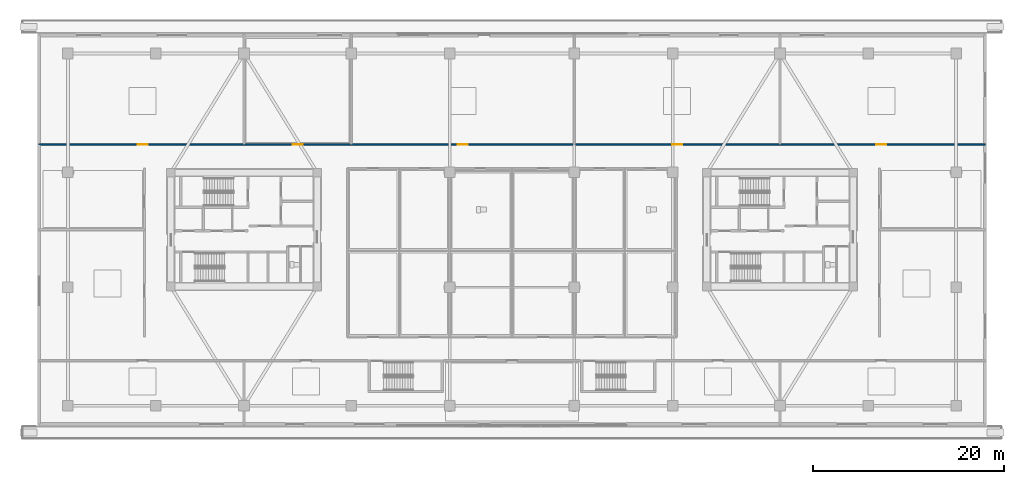
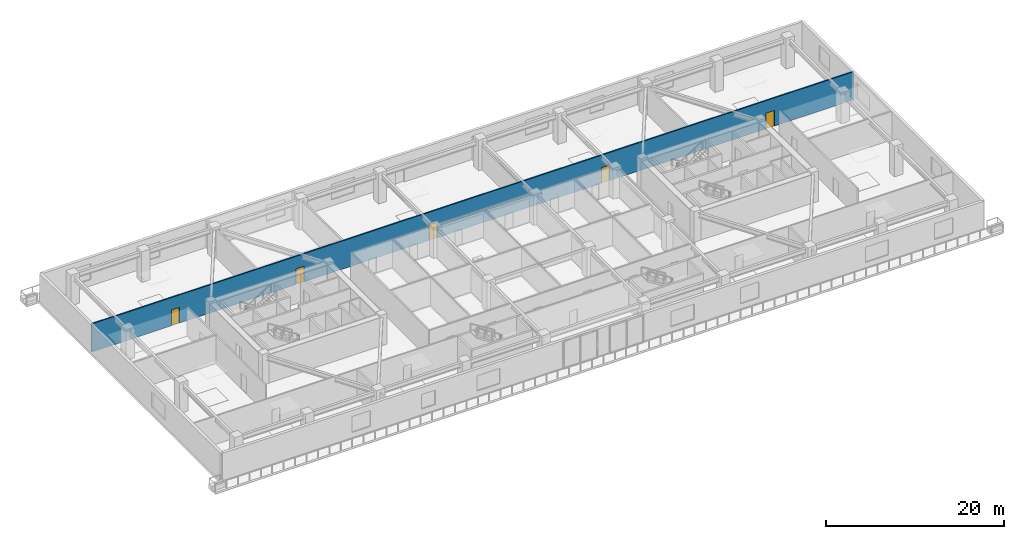
# One storey, part 8 of 22: 5 doors, 1 wall, 5 openings.
"""IFC4 building model written with IfcOpenShell, lengths in metres."""

from ifc_helpers import new_model, si_unit, direction, frame, frame_2d, origin, place, context, subcontext, project, spatial, rectangle, extrude, source, transform, mapped, material, layer, layer_set, type_object, type_shapes, element, fill, save


model = new_model("IFC4")

# Units and contexts
model_context = context("Model", 3, precision=1e-05, world=origin(), true_north=direction((0.0, 1.0)))
body_context = subcontext(model_context, "Body", "Model", "MODEL_VIEW")
ifc_project = project(units=[si_unit("LENGTHUNIT", "METRE"), si_unit("AREAUNIT", "SQUARE_METRE"), si_unit("VOLUMEUNIT", "CUBIC_METRE"), si_unit("PLANEANGLEUNIT", "RADIAN"), si_unit("MASSUNIT", "GRAM", prefix="KILO")], contexts=[model_context])

# Site, building, storey
site_placement = place(None, origin())
site = spatial("IfcSite", under=ifc_project, at=site_placement, CompositionType="ELEMENT")
building_placement = place(site_placement, origin())
building = spatial("IfcBuilding", under=site, at=building_placement, Name="Norrkilde Senior Care Towers", CompositionType="ELEMENT")
storey_placement = place(building_placement, frame((0.0, 0.0, 12.60009765625)))
storey = spatial("IfcBuildingStorey", under=building, at=storey_placement, Name="L03", CompositionType="ELEMENT", Elevation=12.60009765625)

# Wall, openings, doors
ifc_material_1 = material(Name="Gypsum Acoustic Board")
ifc_layer = layer(ifc_material_1, 0.1650390625)
ifc_layer_set = layer_set([ifc_layer], Name="Gypsum Acoustic Board")
wall_type = type_object("IfcWallType", Name="Corridor Rated Partition 165", PredefinedType="PARTITIONING", material=ifc_layer_set)
shared_shape_1 = source(origin(), body_context, "Body", "SweptSolid", [
    extrude(rectangle(XDim=98.89990234375, YDim=0.1650390625, at=frame_2d((49.449951171875, 0.0))), origin(), (0.0, 0.0, 1.0), 3.864990234375),
])
type_shapes(wall_type, [shared_shape_1])
wall_placement = place(storey_placement, frame((-49.449951171875, 8.89990234375, 0.0), z_axis=(0.0, 0.0, 1.0), x_axis=(1.0, 0.0, 0.0)))
wall = element("IfcWall", 1, at=wall_placement, inside=storey, type_object=wall_type, Name="WL-INT-L03-POD-NPS", PredefinedType="PARTITIONING", context=body_context, shape_type="MappedRepresentation", body=[
    mapped(shared_shape_1, transform((0.0, 0.0, 0.0), x_axis=(1.0, 0.0, 0.0), y_axis=(0.0, 1.0, 0.0), z_axis=(0.0, 0.0, 1.0), scale=1.0)),
])
opening_1_placement = place(wall_placement, frame((10.324951171875, 0.0, 0.0)))
opening_1 = element("IfcOpeningElement", 2, at=opening_1_placement, cuts=wall, Name="Opening D-06", PredefinedType="OPENING", context=body_context, shape_type="SweptSolid", body=[
    extrude(rectangle(XDim=1.050048828125, YDim=2.14990234375, at=frame_2d((0.52490234375, 1.074951171875))), frame((0.0, 0.092529296875, 0.0), z_axis=(0.0, -1.0, 0.0), x_axis=(1.0, 0.0, 0.0)), (0.0, 0.0, 1.0), 0.18505859375),
])
opening_2_placement = place(wall_placement, frame((26.52490234375, 0.0, 0.0)))
opening_2 = element("IfcOpeningElement", 3, at=opening_2_placement, cuts=wall, Name="Opening D-06", PredefinedType="OPENING", context=body_context, shape_type="SweptSolid", body=[
    extrude(rectangle(XDim=1.050048828125, YDim=2.14990234375, at=frame_2d((0.52490234375, 1.074951171875))), frame((0.0, 0.092529296875, 0.0), z_axis=(0.0, -1.0, 0.0), x_axis=(1.0, 0.0, 0.0)), (0.0, 0.0, 1.0), 0.18505859375),
])
opening_3_placement = place(wall_placement, frame((43.77490234375, 0.0, 0.0)))
opening_3 = element("IfcOpeningElement", 4, at=opening_3_placement, cuts=wall, Name="Opening D-06", PredefinedType="OPENING", context=body_context, shape_type="SweptSolid", body=[
    extrude(rectangle(XDim=1.050048828125, YDim=2.14990234375, at=frame_2d((0.52490234375, 1.074951171875))), frame((0.0, 0.092529296875, 0.0), z_axis=(0.0, -1.0, 0.0), x_axis=(1.0, 0.0, 0.0)), (0.0, 0.0, 1.0), 0.18505859375),
])
opening_4_placement = place(wall_placement, frame((66.175048828125, 0.0, 0.0)))
opening_4 = element("IfcOpeningElement", 5, at=opening_4_placement, cuts=wall, Name="Opening D-06", PredefinedType="OPENING", context=body_context, shape_type="SweptSolid", body=[
    extrude(rectangle(XDim=1.050048828125, YDim=2.14990234375, at=frame_2d((0.52490234375, 1.074951171875))), frame((0.0, 0.092529296875, 0.0), z_axis=(0.0, -1.0, 0.0), x_axis=(1.0, 0.0, 0.0)), (0.0, 0.0, 1.0), 0.18505859375),
])
opening_5_placement = place(wall_placement, frame((87.52490234375, 0.0, 0.0)))
opening_5 = element("IfcOpeningElement", 6, at=opening_5_placement, cuts=wall, Name="Opening D-06", PredefinedType="OPENING", context=body_context, shape_type="SweptSolid", body=[
    extrude(rectangle(XDim=1.050048828125, YDim=2.14990234375, at=frame_2d((0.52490234375, 1.074951171875))), frame((0.0, 0.092529296875, 0.0), z_axis=(0.0, -1.0, 0.0), x_axis=(1.0, 0.0, 0.0)), (0.0, 0.0, 1.0), 0.18505859375),
])
ifc_material_2 = material(Name="Nordic Ash Timber", Category="wood")
door_type = type_object("IfcDoorType", Name="Apartment Entrance Fire Door 1050x2150", OperationType="NOTDEFINED", PredefinedType="DOOR", material=ifc_material_2)
shared_shape_2 = source(origin(), body_context, "Body", "SweptSolid", [
    extrude(rectangle(XDim=1.050048828125, YDim=2.14990234375, at=frame_2d((0.52490234375, 1.074951171875))), frame((0.0, 0.02490234375, 0.0), z_axis=(0.0, -1.0, 0.0), x_axis=(1.0, 0.0, 0.0)), (0.0, 0.0, 1.0), 0.050048828125),
])
type_shapes(door_type, [shared_shape_2])
door_1_placement = place(opening_1_placement, origin())
door_1 = element("IfcDoor", 7, at=door_1_placement, inside=storey, type_object=door_type, Name="L03 North Suite 1 Door", OperationType="SINGLE_SWING_LEFT", OverallHeight=2.14990234375, OverallWidth=1.050048828125, PredefinedType="DOOR", context=body_context, shape_type="MappedRepresentation", body=[
    mapped(shared_shape_2, transform((0.0, 0.0, 0.0), x_axis=(1.0, 0.0, 0.0), y_axis=(0.0, 1.0, 0.0), z_axis=(0.0, 0.0, 1.0), scale=1.0)),
])
fill(opening_1, door_1)
door_2_placement = place(opening_2_placement, origin())
door_2 = element("IfcDoor", 8, at=door_2_placement, inside=storey, type_object=door_type, Name="L03 North Suite 2 Door", OperationType="SINGLE_SWING_RIGHT", OverallHeight=2.14990234375, OverallWidth=1.050048828125, PredefinedType="DOOR", context=body_context, shape_type="MappedRepresentation", body=[
    mapped(shared_shape_2, transform((0.0, 0.0, 0.0), x_axis=(1.0, 0.0, 0.0), y_axis=(0.0, 1.0, 0.0), z_axis=(0.0, 0.0, 1.0), scale=1.0)),
])
fill(opening_2, door_2)
door_3_placement = place(opening_3_placement, origin())
door_3 = element("IfcDoor", 9, at=door_3_placement, inside=storey, type_object=door_type, Name="L03 North Suite 3 Door", OperationType="SINGLE_SWING_LEFT", OverallHeight=2.14990234375, OverallWidth=1.050048828125, PredefinedType="DOOR", context=body_context, shape_type="MappedRepresentation", body=[
    mapped(shared_shape_2, transform((0.0, 0.0, 0.0), x_axis=(1.0, 0.0, 0.0), y_axis=(0.0, 1.0, 0.0), z_axis=(0.0, 0.0, 1.0), scale=1.0)),
])
fill(opening_3, door_3)
door_4_placement = place(opening_4_placement, origin())
door_4 = element("IfcDoor", 10, at=door_4_placement, inside=storey, type_object=door_type, Name="L03 North Suite 4 Door", OperationType="SINGLE_SWING_RIGHT", OverallHeight=2.14990234375, OverallWidth=1.050048828125, PredefinedType="DOOR", context=body_context, shape_type="MappedRepresentation", body=[
    mapped(shared_shape_2, transform((0.0, 0.0, 0.0), x_axis=(1.0, 0.0, 0.0), y_axis=(0.0, 1.0, 0.0), z_axis=(0.0, 0.0, 1.0), scale=1.0)),
])
fill(opening_4, door_4)
door_5_placement = place(opening_5_placement, origin())
door_5 = element("IfcDoor", 11, at=door_5_placement, inside=storey, type_object=door_type, Name="L03 North Suite 5 Door", OperationType="SINGLE_SWING_LEFT", OverallHeight=2.14990234375, OverallWidth=1.050048828125, PredefinedType="DOOR", context=body_context, shape_type="MappedRepresentation", body=[
    mapped(shared_shape_2, transform((0.0, 0.0, 0.0), x_axis=(1.0, 0.0, 0.0), y_axis=(0.0, 1.0, 0.0), z_axis=(0.0, 0.0, 1.0), scale=1.0)),
])
fill(opening_5, door_5)

save(model, "model.ifc")
